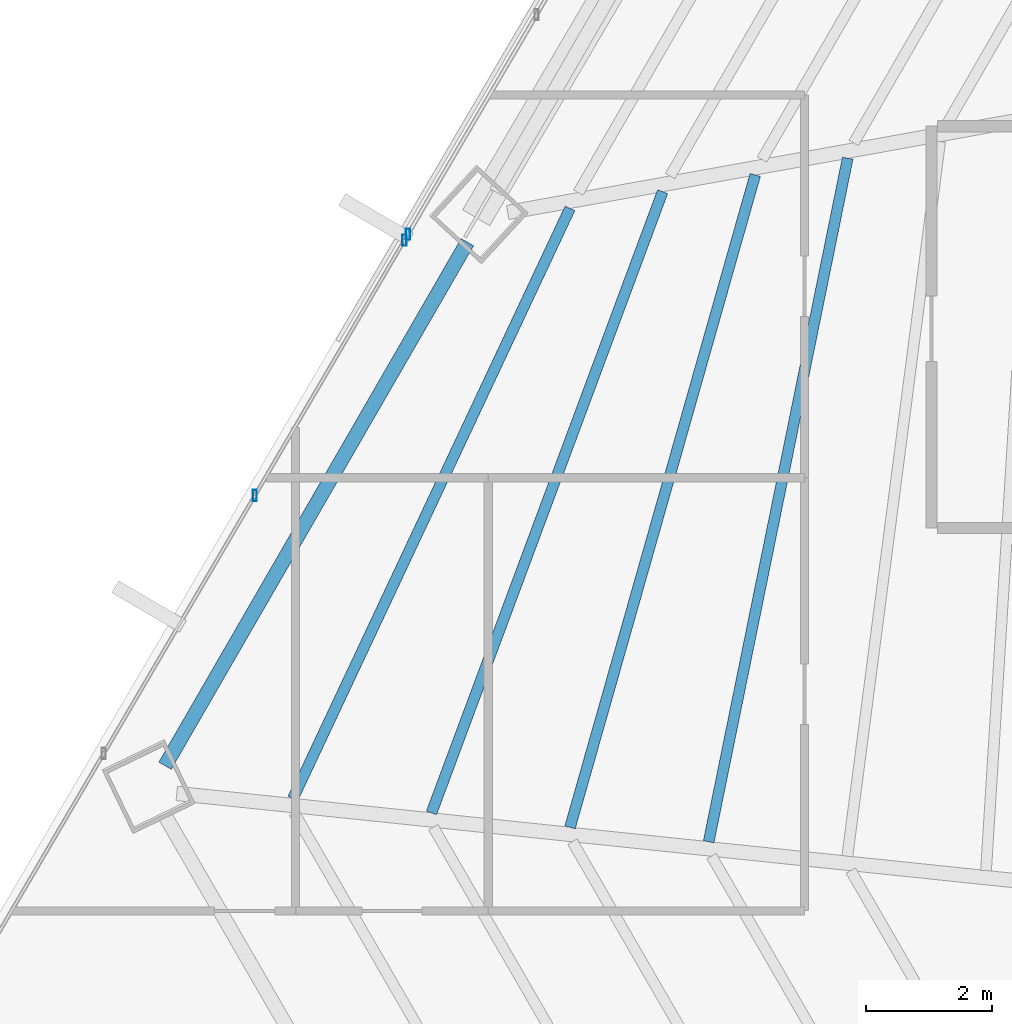
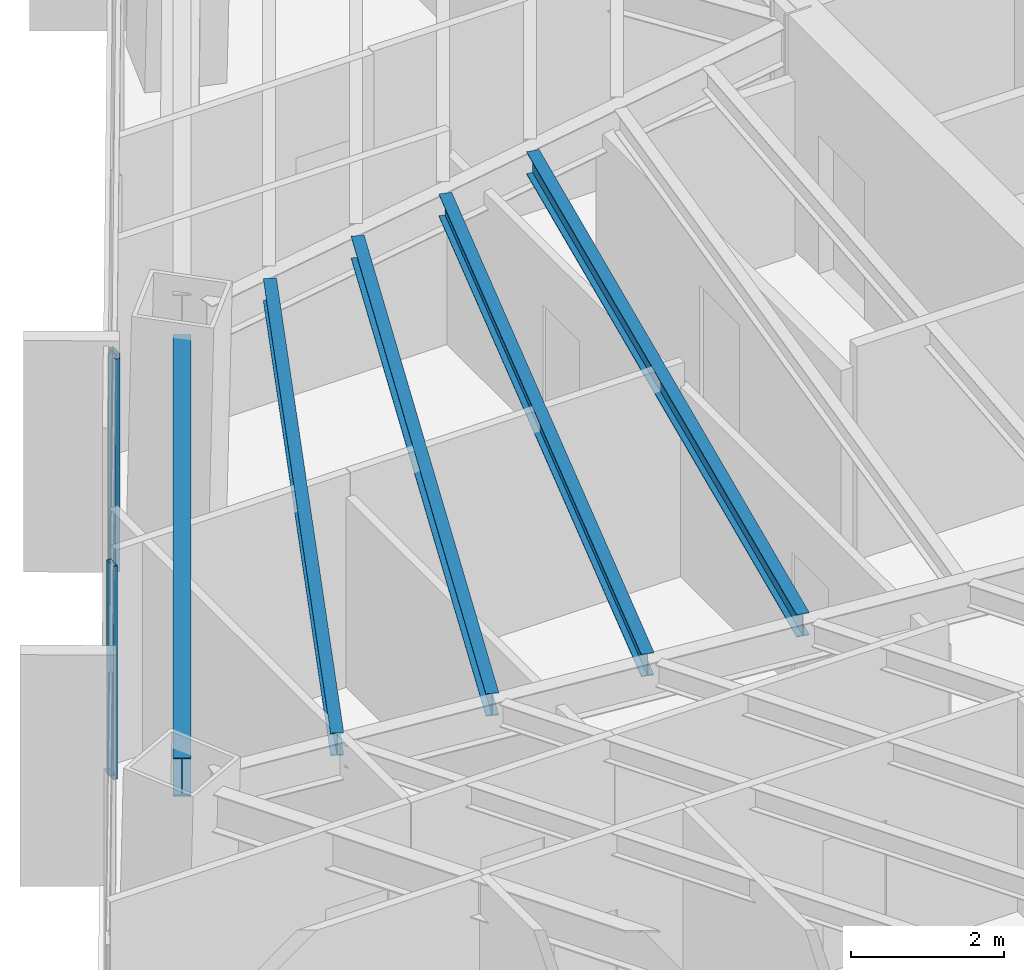
# One storey, part 11 of 36: 5 beams, 3 members, 2 elements without a shape of their own.
"""IFC4 building model written with IfcOpenShell, lengths in metres."""

from ifc_helpers import new_model, si_unit, direction, frame, origin, origin_2d, place, context, subcontext, project, spatial, hollow_rectangle, i_section, extrude, source, transform, mapped, material, material_profile, profile_set, type_object, type_shapes, element, aggregate, save


model = new_model("IFC4")

# Units and contexts
model_context = context("Model", 3, precision=1e-05, world=origin(), true_north=direction((0.0, 1.0)))
body_context = subcontext(model_context, "Body", "Model", "MODEL_VIEW")
ifc_project = project(units=[si_unit("LENGTHUNIT", "METRE"), si_unit("AREAUNIT", "SQUARE_METRE"), si_unit("VOLUMEUNIT", "CUBIC_METRE"), si_unit("PLANEANGLEUNIT", "RADIAN"), si_unit("MASSUNIT", "GRAM", prefix="KILO")], contexts=[model_context])

# Site, building, storey
site_placement = place(None, origin())
site = spatial("IfcSite", under=ifc_project, at=site_placement, CompositionType="ELEMENT")
building_placement = place(site_placement, origin())
building = spatial("IfcBuilding", under=site, at=building_placement, Name="Caelisora Broadcast Tower", CompositionType="ELEMENT")
storey_placement = place(building_placement, frame((0.0, 0.0, 112.699951171875)))
storey = spatial("IfcBuildingStorey", under=building, at=storey_placement, Name="L29", CompositionType="ELEMENT", Elevation=112.699951171875)

# Beams
ifc_material_1 = material(Name="Steel Grade 350 (AS/NZS 3679.1)", Category="steel")
ifc_material_profile_1 = material_profile(ifc_material_1, i_section(OverallWidth=0.22900390625, OverallDepth=0.611572265625, WebThickness=0.011962890625, FlangeThickness=0.01953125, at=origin_2d()), Name="Steel Grade 350 (AS/NZS 3679.1)")
ifc_profile_set_1 = profile_set([ifc_material_profile_1], Name="Steel Grade 350 (AS/NZS 3679.1)")
beam_type_1 = type_object("IfcBeamType", Name="PG03", PredefinedType="BEAM", material=ifc_profile_set_1)
shared_shape_1 = source(origin(), body_context, "Body", "SweptSolid", [
    extrude(i_section(OverallWidth=0.22900390625, OverallDepth=0.611572265625, WebThickness=0.011962890625, FlangeThickness=0.01953125, at=origin_2d()), origin(), (0.0, 0.0, 1.0), 9.6318359375),
])
type_shapes(beam_type_1, [shared_shape_1])
beam_1_placement = place(storey_placement, frame((20.02685546875, 27.753662109375, 3.09423828125), z_axis=(-0.50000476601, -0.86602265211, 0.0), x_axis=(0.86602265211, -0.50000476601, 0.0)))
element("IfcBeam", 1, at=beam_1_placement, inside=storey, type_object=beam_type_1, Name="L29 beam PG03", PredefinedType="BEAM", context=body_context, shape_type="MappedRepresentation", body=[
    mapped(shared_shape_1, transform((0.0, 0.0, 0.0), scale=1.0)),
])
ifc_material_profile_2 = material_profile(ifc_material_1, i_section(OverallWidth=0.172119140625, OverallDepth=0.358642578125, WebThickness=0.008056640625, FlangeThickness=0.012939453125, at=origin_2d()), Name="Steel Grade 350 (AS/NZS 3679.1)")
ifc_profile_set_2 = profile_set([ifc_material_profile_2], Name="Steel Grade 350 (AS/NZS 3679.1)")
beam_type_2 = type_object("IfcBeamType", Name="SB02", PredefinedType="JOIST", material=ifc_profile_set_2)
shared_shape_2 = source(origin(), body_context, "Body", "SweptSolid", [
    extrude(i_section(OverallWidth=0.172119140625, OverallDepth=0.358642578125, WebThickness=0.008056640625, FlangeThickness=0.012939453125, at=origin_2d()), origin(), (0.0, 0.0, 1.0), 11.11279296875),
])
beam_2_placement = place(storey_placement, frame((26.086181640625, 29.0908203125, 3.220703125), z_axis=(-0.19932595725, -0.979933244036, 0.0), x_axis=(0.979933244036, -0.19932595725, 0.0)))
element("IfcBeam", 2, at=beam_2_placement, inside=storey, type_object=beam_type_2, Name="L29 beam SB02", PredefinedType="JOIST", context=body_context, shape_type="MappedRepresentation", body=[
    mapped(shared_shape_2, transform((0.0, 0.0, 0.0), scale=1.0)),
])
shared_shape_3 = source(origin(), body_context, "Body", "SweptSolid", [
    extrude(i_section(OverallWidth=0.172119140625, OverallDepth=0.358642578125, WebThickness=0.008056640625, FlangeThickness=0.012939453125, at=origin_2d()), origin(), (0.0, 0.0, 1.0), 10.8046875),
])
beam_3_placement = place(storey_placement, frame((24.61279296875, 28.82470703125, 3.220703125), z_axis=(-0.273049465265, -0.961999994552, 0.0), x_axis=(0.961999994552, -0.273049465265, 0.0)))
element("IfcBeam", 3, at=beam_3_placement, inside=storey, type_object=beam_type_2, Name="L29 beam SB02", PredefinedType="JOIST", context=body_context, shape_type="MappedRepresentation", body=[
    mapped(shared_shape_3, transform((0.0, 0.0, 0.0), scale=1.0)),
])
shared_shape_4 = source(origin(), body_context, "Body", "SweptSolid", [
    extrude(i_section(OverallWidth=0.172119140625, OverallDepth=0.358642578125, WebThickness=0.008056640625, FlangeThickness=0.012939453125, at=origin_2d()), origin(), (0.0, 0.0, 1.0), 10.561279296875),
])
beam_4_placement = place(storey_placement, frame((23.13818359375, 28.55859375, 3.220703125), z_axis=(-0.348758739222, -0.93721253823, 0.0), x_axis=(0.93721253823, -0.348758739222, 0.0)))
element("IfcBeam", 4, at=beam_4_placement, inside=storey, type_object=beam_type_2, Name="L29 beam SB02", PredefinedType="JOIST", context=body_context, shape_type="MappedRepresentation", body=[
    mapped(shared_shape_4, transform((0.0, 0.0, 0.0), scale=1.0)),
])
shared_shape_5 = source(origin(), body_context, "Body", "SweptSolid", [
    extrude(i_section(OverallWidth=0.172119140625, OverallDepth=0.358642578125, WebThickness=0.008056640625, FlangeThickness=0.012939453125, at=origin_2d()), origin(), (0.0, 0.0, 1.0), 10.386962890625),
])
type_shapes(beam_type_2, [shared_shape_2, shared_shape_3, shared_shape_4, shared_shape_5])
beam_5_placement = place(storey_placement, frame((21.662109375, 28.292236328125, 3.220703125), z_axis=(-0.424982999372, -0.905201331332, 0.0), x_axis=(0.905201331332, -0.424982999372, 0.0)))
element("IfcBeam", 5, at=beam_5_placement, inside=storey, type_object=beam_type_2, Name="L29 beam SB02", PredefinedType="JOIST", context=body_context, shape_type="MappedRepresentation", body=[
    mapped(shared_shape_5, transform((0.0, 0.0, 0.0), scale=1.0)),
])

# Curtain wall, members
ifc_material_2 = material(Name="Unitised Aluminium and Low-E Glass Curtain Wall", Category="glass")
curtain_wall_type_1 = type_object("IfcCurtainWallType", Name="CW-Z2", PredefinedType="NOTDEFINED", material=ifc_material_2)
curtain_wall_1_placement = place(storey_placement, origin())
curtain_wall_1 = element("IfcCurtainWall", 6, at=curtain_wall_1_placement, inside=storey, type_object=curtain_wall_type_1, Name="L29 curtain wall CW-Z2", PredefinedType="NOTDEFINED")
ifc_material_3 = material(Name="Aluminium 6063-T6 Anodised Terracotta Bronze", Category="aluminium")
ifc_material_profile_3 = material_profile(ifc_material_3, hollow_rectangle(XDim=0.06494140625, YDim=0.179931640625, WallThickness=0.00341796875, at=origin_2d()), Name="Aluminium 6063-T6 Anodised Terracotta Bronze")
ifc_profile_set_3 = profile_set([ifc_material_profile_3], Name="Aluminium 6063-T6 Anodised Terracotta Bronze")
member_type = type_object("IfcMemberType", Name="CWM-02", PredefinedType="MULLION", material=ifc_profile_set_3)
shared_shape_6 = source(origin(), body_context, "Body", "SweptSolid", [
    extrude(hollow_rectangle(XDim=0.06494140625, YDim=0.179931640625, WallThickness=0.00341796875, at=origin_2d()), origin(), (0.0, 0.0, 1.0), 3.400146484375),
])
type_shapes(member_type, [shared_shape_6])
member_1_placement = place(storey_placement, frame((16.642333984375, 23.718017578125, 0.0), z_axis=(0.0, 0.0, 1.0), x_axis=(1.0, 0.0, 0.0)))
member_1 = element("IfcMember", 7, at=member_1_placement, type_object=member_type, Name="L29-CW-B09 mullion #2", PredefinedType="MULLION", context=body_context, shape_type="MappedRepresentation", body=[
    mapped(shared_shape_6, transform((0.0, 0.0, 0.0), scale=1.0)),
])
member_2_placement = place(storey_placement, frame((19.025390625, 27.78515625, 0.0), z_axis=(0.0, 0.0, 1.0), x_axis=(1.0, 0.0, 0.0)))
member_2 = element("IfcMember", 8, at=member_2_placement, type_object=member_type, Name="L29-CW-B09 mullion #3", PredefinedType="MULLION", context=body_context, shape_type="MappedRepresentation", body=[
    mapped(shared_shape_6, transform((0.0, 0.0, 0.0), scale=1.0)),
])
aggregate(curtain_wall_1, [member_1, member_2])

# Curtain wall, member
ifc_material_4 = material(Name="Unitised Aluminium Insulated Shadow-Box Spandrel Curtain Wall", Category="aluminium")
curtain_wall_type_2 = type_object("IfcCurtainWallType", Name="CW-SP1", PredefinedType="NOTDEFINED", material=ifc_material_4)
curtain_wall_2_placement = place(storey_placement, origin())
curtain_wall_2 = element("IfcCurtainWall", 9, at=curtain_wall_2_placement, inside=storey, type_object=curtain_wall_type_2, Name="L29 curtain wall CW-SP1", PredefinedType="NOTDEFINED")
member_3_placement = place(storey_placement, frame((19.080810546875, 27.8798828125, 0.0), z_axis=(0.0, 0.0, 1.0), x_axis=(1.0, 0.0, 0.0)))
member_3 = element("IfcMember", 10, at=member_3_placement, type_object=member_type, Name="L29-CW-B10 mullion #0", PredefinedType="MULLION", context=body_context, shape_type="MappedRepresentation", body=[
    mapped(shared_shape_6, transform((0.0, 0.0, 0.0), scale=1.0)),
])
aggregate(curtain_wall_2, [member_3])

save(model, "model.ifc")
